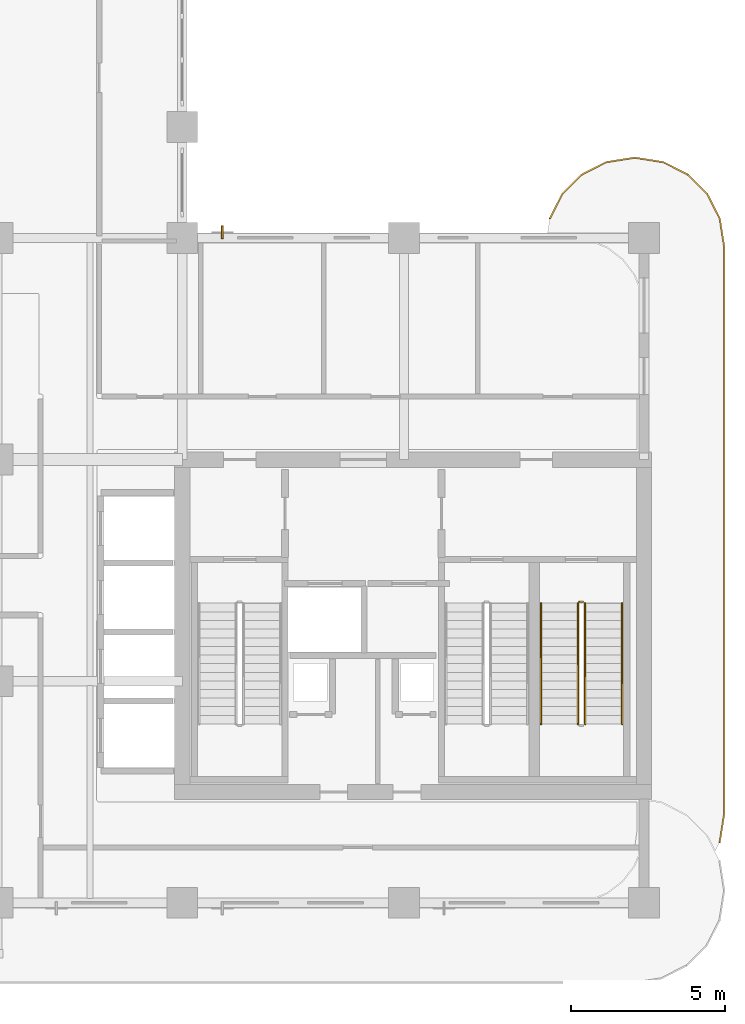
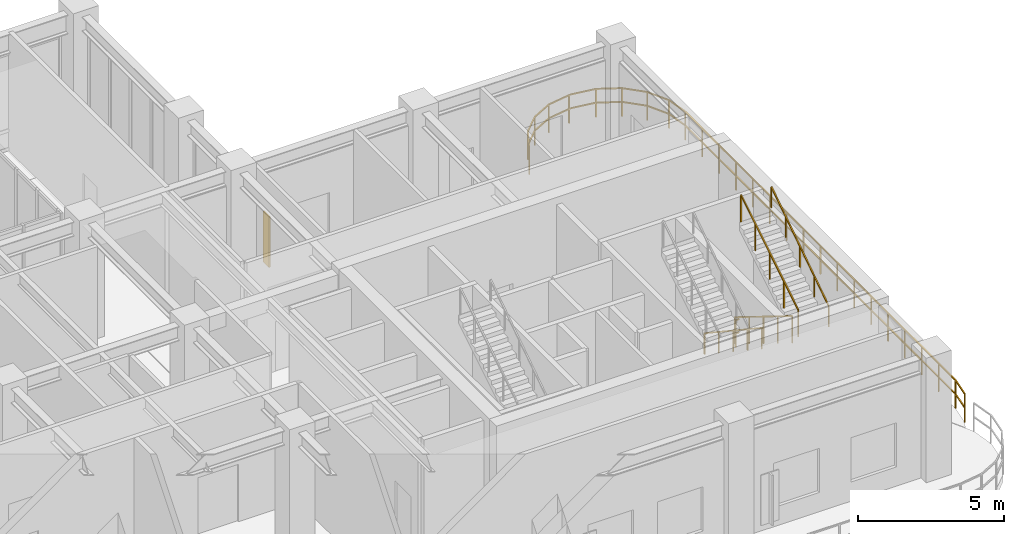
# One storey, part 19 of 21: 6 railings, 1 shading device.
"""IFC4 building model written with IfcOpenShell, lengths in metres."""

from ifc_helpers import new_model, si_unit, derived_unit, direction, frame, origin, origin_2d, place, context, subcontext, project, spatial, rectangle, extrude, source, transform, mapped, material, layer, layer_set, type_object, type_shapes, element, save


model = new_model("IFC4")

# Units and contexts
model_context = context("Model", 3, precision=1e-05, world=origin(), true_north=direction((0.0, 1.0)))
body_context = subcontext(model_context, "Body", "Model", "MODEL_VIEW")
ifc_project = project(units=[si_unit("LENGTHUNIT", "METRE"), si_unit("AREAUNIT", "SQUARE_METRE"), si_unit("VOLUMEUNIT", "CUBIC_METRE"), si_unit("PLANEANGLEUNIT", "RADIAN"), si_unit("MASSUNIT", "GRAM", prefix="KILO"), si_unit("THERMODYNAMICTEMPERATUREUNIT", "KELVIN"), si_unit("POWERUNIT", "WATT"), derived_unit("THERMALTRANSMITTANCEUNIT", [(si_unit("POWERUNIT", "WATT"), 1), (si_unit("AREAUNIT", "SQUARE_METRE"), -1), (si_unit("THERMODYNAMICTEMPERATUREUNIT", "KELVIN"), -1)])], contexts=[model_context])

# Site, building, storey
site_placement = place(None, origin())
site = spatial("IfcSite", under=ifc_project, at=site_placement, CompositionType="ELEMENT")
building_placement = place(site_placement, origin())
building = spatial("IfcBuilding", under=site, at=building_placement, Name="Zahravan Archway Hotel and Residences", CompositionType="ELEMENT")
storey_placement = place(building_placement, frame((0.0, 0.0, 145.10009765625)))
storey = spatial("IfcBuildingStorey", under=building, at=storey_placement, Name="L36", CompositionType="ELEMENT", Elevation=145.10009765625)

# Railings
ifc_material_1 = material(Name="Bronze & Laminated Glass Balustrade", Category="glass")
railing_type_1 = type_object("IfcRailingType", Name="RL-BAL-1200", PredefinedType="BALUSTRADE", material=ifc_material_1)
railing_1_placement = place(storey_placement, frame((46.739501953125, 22.230712890625, 0.0)))
element("IfcRailing", 1, at=railing_1_placement, inside=storey, type_object=railing_type_1, Name="L36 Balustrade RL-SLB-BAL-L36-EA-1", PredefinedType="BALUSTRADE", context=body_context, shape_type="SweptSolid", body=[
    extrude(rectangle(XDim=0.048095703125, YDim=0.048095703125, at=origin_2d()), frame((0.0, 0.0, 1.17578125), z_axis=(0.453991409995, 0.891006060389, 0.0), x_axis=(-0.891006060389, 0.453991409995, 0.0)), (0.0, 0.0, 1.0), 0.8916015625),
    extrude(rectangle(XDim=0.048095703125, YDim=0.048095703125, at=origin_2d()), frame((0.0, 0.0, 0.60009765625), z_axis=(0.453991409995, 0.891006060389, 0.0), x_axis=(-0.891006060389, 0.453991409995, 0.0)), (0.0, 0.0, 1.0), 0.8916015625),
    extrude(rectangle(XDim=0.048095703125, YDim=0.048095703125, at=origin_2d()), frame((0.40478515625, 0.79443359375, 1.17578125), z_axis=(0.707106781187, 0.707106781187, 0.0), x_axis=(-0.707106781187, 0.707106781187, 0.0)), (0.0, 0.0, 1.0), 0.891845703125),
    extrude(rectangle(XDim=0.048095703125, YDim=0.048095703125, at=origin_2d()), frame((0.40478515625, 0.79443359375, 0.60009765625), z_axis=(0.707106781187, 0.707106781187, 0.0), x_axis=(-0.707106781187, 0.707106781187, 0.0)), (0.0, 0.0, 1.0), 0.891845703125),
    extrude(rectangle(XDim=0.048095703125, YDim=0.048095703125, at=origin_2d()), frame((1.035400390625, 1.425048828125, 1.17578125), z_axis=(0.891006060389, 0.453991409995, 0.0), x_axis=(-0.453991409995, 0.891006060389, 0.0)), (0.0, 0.0, 1.0), 0.8916015625),
    extrude(rectangle(XDim=0.048095703125, YDim=0.048095703125, at=origin_2d()), frame((1.035400390625, 1.425048828125, 0.60009765625), z_axis=(0.891006060389, 0.453991409995, 0.0), x_axis=(-0.453991409995, 0.891006060389, 0.0)), (0.0, 0.0, 1.0), 0.8916015625),
    extrude(rectangle(XDim=0.048095703125, YDim=0.048095703125, at=origin_2d()), frame((1.829833984375, 1.829833984375, 1.17578125), z_axis=(0.987700720307, 0.156356282588, 0.0), x_axis=(-0.156356282588, 0.987700720307, 0.0)), (0.0, 0.0, 1.0), 0.8916015625),
    extrude(rectangle(XDim=0.048095703125, YDim=0.048095703125, at=origin_2d()), frame((1.829833984375, 1.829833984375, 0.60009765625), z_axis=(0.987700720307, 0.156356282588, 0.0), x_axis=(-0.156356282588, 0.987700720307, 0.0)), (0.0, 0.0, 1.0), 0.8916015625),
    extrude(rectangle(XDim=0.048095703125, YDim=0.048095703125, at=origin_2d()), frame((2.71044921875, 1.96923828125, 1.17578125), z_axis=(1.0, 0.0, 0.0), x_axis=(0.0, 1.0, 0.0)), (0.0, 0.0, 1.0), 0.10009765625),
    extrude(rectangle(XDim=0.048095703125, YDim=0.048095703125, at=origin_2d()), frame((2.71044921875, 1.96923828125, 0.60009765625), z_axis=(1.0, 0.0, 0.0), x_axis=(0.0, 1.0, 0.0)), (0.0, 0.0, 1.0), 0.10009765625),
    extrude(rectangle(XDim=0.048095703125, YDim=0.048095703125, at=origin_2d()), frame((2.810546875, 1.96923828125, 1.17578125), z_axis=(0.987700720307, -0.156356282588, 0.0), x_axis=(0.156356282588, 0.987700720307, 0.0)), (0.0, 0.0, 1.0), 0.8916015625),
    extrude(rectangle(XDim=0.048095703125, YDim=0.048095703125, at=origin_2d()), frame((2.810546875, 1.96923828125, 0.60009765625), z_axis=(0.987700720307, -0.156356282588, 0.0), x_axis=(0.156356282588, 0.987700720307, 0.0)), (0.0, 0.0, 1.0), 0.8916015625),
    extrude(rectangle(XDim=0.048095703125, YDim=0.048095703125, at=origin_2d()), frame((3.691162109375, 1.829833984375, 1.17578125), z_axis=(0.891006060389, -0.453991409995, 0.0), x_axis=(0.453991409995, 0.891006060389, 0.0)), (0.0, 0.0, 1.0), 0.8916015625),
    extrude(rectangle(XDim=0.048095703125, YDim=0.048095703125, at=origin_2d()), frame((3.691162109375, 1.829833984375, 0.60009765625), z_axis=(0.891006060389, -0.453991409995, 0.0), x_axis=(0.453991409995, 0.891006060389, 0.0)), (0.0, 0.0, 1.0), 0.8916015625),
    extrude(rectangle(XDim=0.048095703125, YDim=0.048095703125, at=origin_2d()), frame((4.485595703125, 1.425048828125, 1.17578125), z_axis=(0.707106781187, -0.707106781187, 0.0), x_axis=(0.707106781187, 0.707106781187, 0.0)), (0.0, 0.0, 1.0), 0.891845703125),
    extrude(rectangle(XDim=0.048095703125, YDim=0.048095703125, at=origin_2d()), frame((4.485595703125, 1.425048828125, 0.60009765625), z_axis=(0.707106781187, -0.707106781187, 0.0), x_axis=(0.707106781187, 0.707106781187, 0.0)), (0.0, 0.0, 1.0), 0.891845703125),
    extrude(rectangle(XDim=0.048095703125, YDim=0.048095703125, at=origin_2d()), frame((5.1162109375, 0.79443359375, 1.17578125), z_axis=(0.453991409995, -0.891006060389, 0.0), x_axis=(0.891006060389, 0.453991409995, 0.0)), (0.0, 0.0, 1.0), 0.8916015625),
    extrude(rectangle(XDim=0.048095703125, YDim=0.048095703125, at=origin_2d()), frame((5.1162109375, 0.79443359375, 0.60009765625), z_axis=(0.453991409995, -0.891006060389, 0.0), x_axis=(0.891006060389, 0.453991409995, 0.0)), (0.0, 0.0, 1.0), 0.8916015625),
    extrude(rectangle(XDim=0.048095703125, YDim=0.048095703125, at=origin_2d()), frame((5.52099609375, 0.0, 1.17578125), z_axis=(0.156356282588, -0.987700720307, 0.0), x_axis=(0.987700720307, 0.156356282588, 0.0)), (0.0, 0.0, 1.0), 0.8916015625),
    extrude(rectangle(XDim=0.048095703125, YDim=0.048095703125, at=origin_2d()), frame((5.52099609375, 0.0, 0.60009765625), z_axis=(0.156356282588, -0.987700720307, 0.0), x_axis=(0.987700720307, 0.156356282588, 0.0)), (0.0, 0.0, 1.0), 0.8916015625),
    extrude(rectangle(XDim=0.048095703125, YDim=0.048095703125, at=origin_2d()), frame((5.660400390625, -0.880615234375, 1.17578125), z_axis=(0.0, -1.0, 0.0), x_axis=(1.0, 0.0, 0.0)), (0.0, 0.0, 1.0), 18.5),
    extrude(rectangle(XDim=0.048095703125, YDim=0.048095703125, at=origin_2d()), frame((5.660400390625, -0.880615234375, 0.60009765625), z_axis=(0.0, -1.0, 0.0), x_axis=(1.0, 0.0, 0.0)), (0.0, 0.0, 1.0), 18.5),
    extrude(rectangle(XDim=0.048095703125, YDim=0.048095703125, at=origin_2d()), frame((5.660400390625, -19.380615234375, 1.17578125), z_axis=(-0.156314005608, -0.987707411965, 0.0), x_axis=(0.987707411965, -0.156314005608, 0.0)), (0.0, 0.0, 1.0), 0.891845703125),
    extrude(rectangle(XDim=0.048095703125, YDim=0.048095703125, at=origin_2d()), frame((5.660400390625, -19.380615234375, 0.60009765625), z_axis=(-0.156314005608, -0.987707411965, 0.0), x_axis=(0.987707411965, -0.156314005608, 0.0)), (0.0, 0.0, 1.0), 0.891845703125),
    extrude(rectangle(XDim=0.0419921875, YDim=0.0419921875, at=origin_2d()), origin(), (0.0, 0.0, 1.0), 1.15185546875),
    extrude(rectangle(XDim=0.0419921875, YDim=0.0419921875, at=origin_2d()), frame((0.40478515625, 0.79443359375, 0.0)), (0.0, 0.0, 1.0), 1.15185546875),
    extrude(rectangle(XDim=0.0419921875, YDim=0.0419921875, at=origin_2d()), frame((1.035400390625, 1.425048828125, 0.0)), (0.0, 0.0, 1.0), 1.15185546875),
    extrude(rectangle(XDim=0.0419921875, YDim=0.0419921875, at=origin_2d()), frame((1.829833984375, 1.829833984375, 0.0)), (0.0, 0.0, 1.0), 1.15185546875),
    extrude(rectangle(XDim=0.0419921875, YDim=0.0419921875, at=origin_2d()), frame((2.71044921875, 1.96923828125, 0.0)), (0.0, 0.0, 1.0), 1.15185546875),
    extrude(rectangle(XDim=0.0419921875, YDim=0.0419921875, at=origin_2d()), frame((3.691162109375, 1.829833984375, 0.0)), (0.0, 0.0, 1.0), 1.15185546875),
    extrude(rectangle(XDim=0.0419921875, YDim=0.0419921875, at=origin_2d()), frame((4.485595703125, 1.425048828125, 0.0)), (0.0, 0.0, 1.0), 1.15185546875),
    extrude(rectangle(XDim=0.0419921875, YDim=0.0419921875, at=origin_2d()), frame((5.1162109375, 0.79443359375, 0.0)), (0.0, 0.0, 1.0), 1.15185546875),
    extrude(rectangle(XDim=0.0419921875, YDim=0.0419921875, at=origin_2d()), frame((5.52099609375, 0.0, 0.0)), (0.0, 0.0, 1.0), 1.15185546875),
    extrude(rectangle(XDim=0.0419921875, YDim=0.0419921875, at=origin_2d()), frame((5.660400390625, -0.880615234375, 0.0)), (0.0, 0.0, 1.0), 1.15185546875),
    extrude(rectangle(XDim=0.0419921875, YDim=0.0419921875, at=origin_2d()), frame((5.660400390625, -2.036865234375, 0.0)), (0.0, 0.0, 1.0), 1.15185546875),
    extrude(rectangle(XDim=0.0419921875, YDim=0.0419921875, at=origin_2d()), frame((5.660400390625, -3.193115234375, 0.0)), (0.0, 0.0, 1.0), 1.15185546875),
    extrude(rectangle(XDim=0.0419921875, YDim=0.0419921875, at=origin_2d()), frame((5.660400390625, -4.349365234375, 0.0)), (0.0, 0.0, 1.0), 1.15185546875),
    extrude(rectangle(XDim=0.0419921875, YDim=0.0419921875, at=origin_2d()), frame((5.660400390625, -5.505615234375, 0.0)), (0.0, 0.0, 1.0), 1.15185546875),
    extrude(rectangle(XDim=0.0419921875, YDim=0.0419921875, at=origin_2d()), frame((5.660400390625, -6.661865234375, 0.0)), (0.0, 0.0, 1.0), 1.15185546875),
    extrude(rectangle(XDim=0.0419921875, YDim=0.0419921875, at=origin_2d()), frame((5.660400390625, -7.818115234375, 0.0)), (0.0, 0.0, 1.0), 1.15185546875),
    extrude(rectangle(XDim=0.0419921875, YDim=0.0419921875, at=origin_2d()), frame((5.660400390625, -8.974365234375, 0.0)), (0.0, 0.0, 1.0), 1.15185546875),
    extrude(rectangle(XDim=0.0419921875, YDim=0.0419921875, at=origin_2d()), frame((5.660400390625, -10.130615234375, 0.0)), (0.0, 0.0, 1.0), 1.15185546875),
    extrude(rectangle(XDim=0.0419921875, YDim=0.0419921875, at=origin_2d()), frame((5.660400390625, -11.286865234375, 0.0)), (0.0, 0.0, 1.0), 1.15185546875),
    extrude(rectangle(XDim=0.0419921875, YDim=0.0419921875, at=origin_2d()), frame((5.660400390625, -12.443115234375, 0.0)), (0.0, 0.0, 1.0), 1.15185546875),
    extrude(rectangle(XDim=0.0419921875, YDim=0.0419921875, at=origin_2d()), frame((5.660400390625, -13.599365234375, 0.0)), (0.0, 0.0, 1.0), 1.15185546875),
    extrude(rectangle(XDim=0.0419921875, YDim=0.0419921875, at=origin_2d()), frame((5.660400390625, -14.755615234375, 0.0)), (0.0, 0.0, 1.0), 1.15185546875),
    extrude(rectangle(XDim=0.0419921875, YDim=0.0419921875, at=origin_2d()), frame((5.660400390625, -15.911865234375, 0.0)), (0.0, 0.0, 1.0), 1.15185546875),
    extrude(rectangle(XDim=0.0419921875, YDim=0.0419921875, at=origin_2d()), frame((5.660400390625, -17.068115234375, 0.0)), (0.0, 0.0, 1.0), 1.15185546875),
    extrude(rectangle(XDim=0.0419921875, YDim=0.0419921875, at=origin_2d()), frame((5.660400390625, -18.224365234375, 0.0)), (0.0, 0.0, 1.0), 1.15185546875),
    extrude(rectangle(XDim=0.0419921875, YDim=0.0419921875, at=origin_2d()), frame((5.660400390625, -19.380615234375, 0.0)), (0.0, 0.0, 1.0), 1.15185546875),
    extrude(rectangle(XDim=0.0419921875, YDim=0.0419921875, at=origin_2d()), frame((5.52099609375, -20.261474609375, 0.0)), (0.0, 0.0, 1.0), 1.15185546875),
])
ifc_material_2 = material(Name="Painted Tubular Steel", Category="steel")
railing_type_2 = type_object("IfcRailingType", Name="RL-STG-1150", PredefinedType="GUARDRAIL", material=ifc_material_2)
railing_2_placement = place(storey_placement, frame((47.64990234375, 9.72998046875, 0.17333984375)))
element("IfcRailing", 2, at=railing_2_placement, inside=storey, type_object=railing_type_2, Name="L36 ST-A3 stair guard 1", PredefinedType="GUARDRAIL", context=body_context, shape_type="SweptSolid", body=[
    extrude(rectangle(XDim=0.048095703125, YDim=0.048095703125, at=origin_2d()), frame((0.0, 0.0, 1.1259765625), z_axis=(0.0, -0.850275303828, 0.526338206574), x_axis=(1.0, 0.0, 0.0)), (0.0, 0.0, 1.0), 4.610107421875),
    extrude(rectangle(XDim=0.0419921875, YDim=0.0419921875, at=origin_2d()), origin(), (0.0, 0.0, 1.0), 1.101806640625),
    extrude(rectangle(XDim=0.0419921875, YDim=0.0419921875, at=origin_2d()), frame((0.0, -0.97998046875, 0.606689453125)), (0.0, 0.0, 1.0), 1.101806640625),
    extrude(rectangle(XDim=0.0419921875, YDim=0.0419921875, at=origin_2d()), frame((0.0, -1.9599609375, 1.21337890625)), (0.0, 0.0, 1.0), 1.101806640625),
    extrude(rectangle(XDim=0.0419921875, YDim=0.0419921875, at=origin_2d()), frame((0.0, -2.93994140625, 1.81982421875)), (0.0, 0.0, 1.0), 1.101806640625),
    extrude(rectangle(XDim=0.0419921875, YDim=0.0419921875, at=origin_2d()), frame((0.0, -3.919921875, 2.426513671875)), (0.0, 0.0, 1.0), 1.101806640625),
])
railing_3_placement = place(storey_placement, frame((47.889892578125, 5.81005859375, 2.773193359375)))
element("IfcRailing", 3, at=railing_3_placement, inside=storey, type_object=railing_type_2, Name="L36 ST-A3 stair guard 3", PredefinedType="GUARDRAIL", context=body_context, shape_type="SweptSolid", body=[
    extrude(rectangle(XDim=0.048095703125, YDim=0.048095703125, at=origin_2d()), frame((0.0, 0.0, 1.1259765625), z_axis=(0.0, 0.850251603719, 0.526376491091), x_axis=(-1.0, 0.0, 0.0)), (0.0, 0.0, 1.0), 4.6103515625),
    extrude(rectangle(XDim=0.0419921875, YDim=0.0419921875, at=origin_2d()), origin(), (0.0, 0.0, 1.0), 1.101806640625),
    extrude(rectangle(XDim=0.0419921875, YDim=0.0419921875, at=origin_2d()), frame((0.0, 0.97998046875, 0.606689453125)), (0.0, 0.0, 1.0), 1.101806640625),
    extrude(rectangle(XDim=0.0419921875, YDim=0.0419921875, at=origin_2d()), frame((0.0, 1.9599609375, 1.21337890625)), (0.0, 0.0, 1.0), 1.101806640625),
    extrude(rectangle(XDim=0.0419921875, YDim=0.0419921875, at=origin_2d()), frame((0.0, 2.93994140625, 1.820068359375)), (0.0, 0.0, 1.0), 1.101806640625),
    extrude(rectangle(XDim=0.0419921875, YDim=0.0419921875, at=origin_2d()), frame((0.0, 3.919921875, 2.4267578125)), (0.0, 0.0, 1.0), 1.101806640625),
])
railing_4_placement = place(storey_placement, frame((47.699951171875, 9.780029296875, 0.0)))
element("IfcRailing", 4, at=railing_4_placement, inside=storey, type_object=railing_type_2, Name="L36 ST-A3 stair guard 4", PredefinedType="GUARDRAIL", context=body_context, shape_type="SweptSolid", body=[
    extrude(rectangle(XDim=0.048095703125, YDim=0.048095703125, at=origin_2d()), frame((0.0, 0.0, 1.1259765625), z_axis=(1.0, 0.0, 0.0), x_axis=(0.0, 1.0, 0.0)), (0.0, 0.0, 1.0), 0.14013671875),
    extrude(rectangle(XDim=0.048095703125, YDim=0.048095703125, at=origin_2d()), frame((0.0, 0.0, 0.574951171875), z_axis=(1.0, 0.0, 0.0), x_axis=(0.0, 1.0, 0.0)), (0.0, 0.0, 1.0), 0.14013671875),
    extrude(rectangle(XDim=0.0419921875, YDim=0.0419921875, at=origin_2d()), origin(), (0.0, 0.0, 1.0), 1.101806640625),
])
ifc_material_3 = material(Name="Brushed Stainless Steel", Category="steel")
railing_type_3 = type_object("IfcRailingType", Name="RL-STH-900", PredefinedType="HANDRAIL", material=ifc_material_3)
railing_5_placement = place(storey_placement, frame((46.449951171875, 9.72998046875, 0.17333984375)))
element("IfcRailing", 5, at=railing_5_placement, inside=storey, type_object=railing_type_3, Name="L36 ST-A3 stair handrail 1", PredefinedType="HANDRAIL", context=body_context, shape_type="SweptSolid", body=[
    extrude(rectangle(XDim=0.048095703125, YDim=0.048095703125, at=origin_2d()), frame((0.0, 0.0, 0.8759765625), z_axis=(0.0, -0.833365502166, 0.552722298989), x_axis=(1.0, 0.0, 0.0)), (0.0, 0.0, 1.0), 4.70361328125),
    extrude(rectangle(XDim=0.0419921875, YDim=0.0419921875, at=origin_2d()), origin(), (0.0, 0.0, 1.0), 0.851806640625),
    extrude(rectangle(XDim=0.0419921875, YDim=0.0419921875, at=origin_2d()), frame((0.0, -0.97998046875, 0.64990234375)), (0.0, 0.0, 1.0), 0.851806640625),
    extrude(rectangle(XDim=0.0419921875, YDim=0.0419921875, at=origin_2d()), frame((0.0, -1.9599609375, 1.2998046875)), (0.0, 0.0, 1.0), 0.851806640625),
    extrude(rectangle(XDim=0.0419921875, YDim=0.0419921875, at=origin_2d()), frame((0.0, -2.93994140625, 1.949951171875)), (0.0, 0.0, 1.0), 0.851806640625),
    extrude(rectangle(XDim=0.0419921875, YDim=0.0419921875, at=origin_2d()), frame((0.0, -3.919921875, 2.599853515625)), (0.0, 0.0, 1.0), 0.851806640625),
])
railing_6_placement = place(storey_placement, frame((49.090087890625, 5.81005859375, 2.773193359375)))
element("IfcRailing", 6, at=railing_6_placement, inside=storey, type_object=railing_type_3, Name="L36 ST-A3 stair handrail 2", PredefinedType="HANDRAIL", context=body_context, shape_type="SweptSolid", body=[
    extrude(rectangle(XDim=0.048095703125, YDim=0.048095703125, at=origin_2d()), frame((0.0, 0.0, 0.8759765625), z_axis=(0.0, 0.833341594215, 0.552758344444), x_axis=(-1.0, 0.0, 0.0)), (0.0, 0.0, 1.0), 4.703857421875),
    extrude(rectangle(XDim=0.0419921875, YDim=0.0419921875, at=origin_2d()), origin(), (0.0, 0.0, 1.0), 0.851806640625),
    extrude(rectangle(XDim=0.0419921875, YDim=0.0419921875, at=origin_2d()), frame((0.0, 0.97998046875, 0.64990234375)), (0.0, 0.0, 1.0), 0.851806640625),
    extrude(rectangle(XDim=0.0419921875, YDim=0.0419921875, at=origin_2d()), frame((0.0, 1.9599609375, 1.300048828125)), (0.0, 0.0, 1.0), 0.851806640625),
    extrude(rectangle(XDim=0.0419921875, YDim=0.0419921875, at=origin_2d()), frame((0.0, 2.93994140625, 1.9501953125)), (0.0, 0.0, 1.0), 0.851806640625),
    extrude(rectangle(XDim=0.0419921875, YDim=0.0419921875, at=origin_2d()), frame((0.0, 3.919921875, 2.60009765625)), (0.0, 0.0, 1.0), 0.851806640625),
])

# Shading device
ifc_material_4 = material(Name="Terracotta & Bronze Solar Brise-Soleil", Category="masonry")
ifc_layer = layer(ifc_material_4, 0.06005859375, Name="Terracotta & Bronze Solar Brise-Soleil", Category="masonry")
ifc_layer_set = layer_set([ifc_layer], Name="Terracotta & Bronze Solar Brise-Soleil")
shading_device_type = type_object("IfcShadingDeviceType", Name="SHD-MASH-FIN", PredefinedType="JALOUSIE", material=ifc_layer_set)
shared_shape = source(origin(), body_context, "Body", "SweptSolid", [
    extrude(rectangle(XDim=0.06005859375, YDim=0.419921875, at=origin_2d()), origin(), (0.0, 0.0, 1.0), 2.10009765625),
])
type_shapes(shading_device_type, [shared_shape])
shading_device_placement = place(storey_placement, frame((36.10009765625, 21.778076171875, 0.249755859375), z_axis=(0.0, 0.0, 1.0), x_axis=(1.0, 0.0, 0.0)))
element("IfcShadingDevice", 7, at=shading_device_placement, inside=storey, type_object=shading_device_type, Name="L36 Solar Mashrabiya Fin 06", PredefinedType="JALOUSIE", context=body_context, shape_type="MappedRepresentation", body=[
    mapped(shared_shape, transform((0.0, 0.0, 0.0), scale=1.0)),
])

save(model, "model.ifc")
